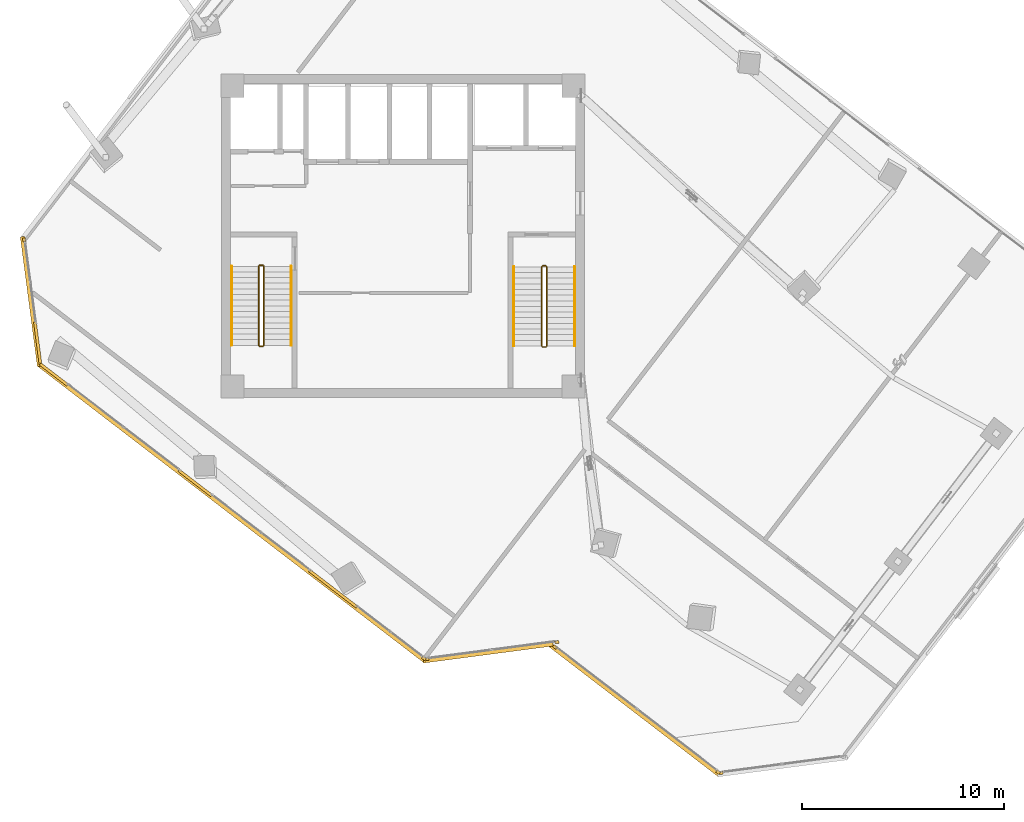
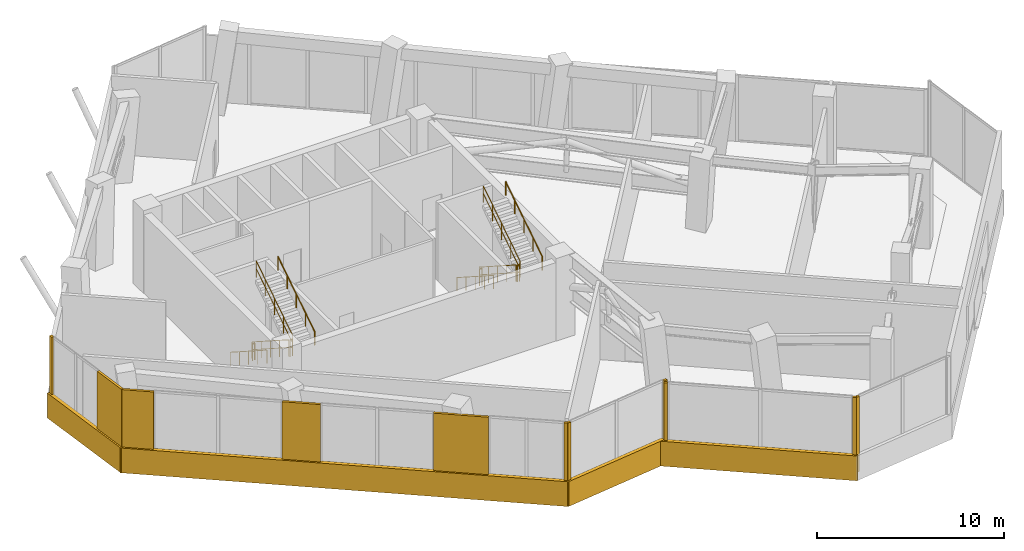
# One storey, part 20 of 22: 15 coverings, 12 railings.
"""IFC4 building model written with IfcOpenShell, lengths in metres."""

from ifc_helpers import new_model, si_unit, direction, frame, origin, origin_2d, place, context, subcontext, project, spatial, rectangle, circle, extrude, source, transform, mapped, material, layer, layer_set, type_object, element, save


model = new_model("IFC4")

# Units and contexts
model_context = context("Model", 3, precision=1e-05, world=origin(), true_north=direction((0.0, 1.0)))
body_context = subcontext(model_context, "Body", "Model", "MODEL_VIEW")
ifc_project = project(units=[si_unit("LENGTHUNIT", "METRE"), si_unit("AREAUNIT", "SQUARE_METRE"), si_unit("VOLUMEUNIT", "CUBIC_METRE"), si_unit("PLANEANGLEUNIT", "RADIAN"), si_unit("MASSUNIT", "GRAM", prefix="KILO")], contexts=[model_context])

# Site, building, storey
site_placement = place(None, origin())
site = spatial("IfcSite", under=ifc_project, at=site_placement, CompositionType="ELEMENT")
building_placement = place(site_placement, origin())
building = spatial("IfcBuilding", under=site, at=building_placement, Name="Torre Montelarca", CompositionType="ELEMENT")
storey_placement = place(building_placement, frame((0.0, 0.0, 209.800048828125)))
storey = spatial("IfcBuildingStorey", under=building, at=storey_placement, Name="L47", CompositionType="ELEMENT", Elevation=209.800048828125)

# Railings
ifc_material_1 = material(Name="Powder-coated steel ASTM A500 Grade C", Category="steel")
railing_type_1 = type_object("IfcRailingType", Name="RL-GUARD-1100", PredefinedType="BALUSTRADE", material=ifc_material_1)
railing_1_placement = place(storey_placement, frame((10.85009765625, 30.5, 0.179931640625)))
element("IfcRailing", 1, at=railing_1_placement, inside=storey, type_object=railing_type_1, Name="L47 ST1 stair guard 1", PredefinedType="BALUSTRADE", context=body_context, shape_type="SweptSolid", body=[
    extrude(circle(Radius=0.02392578125, at=origin_2d()), frame((0.0, 0.0, 1.076171875), z_axis=(0.0, -0.841171666519, 0.540768182723), x_axis=(1.0, 0.0, 0.0)), (0.0, 0.0, 1.0), 4.66015625),
    extrude(circle(Radius=0.02099609375, at=origin_2d()), frame((0.0, 0.0, 0.572021484375), z_axis=(0.0, -0.841171666519, 0.540768182723), x_axis=(1.0, 0.0, 0.0)), (0.0, 0.0, 1.0), 4.66015625),
    extrude(circle(Radius=0.02099609375, at=origin_2d()), origin(), (0.0, 0.0, 1.0), 1.052001953125),
    extrude(circle(Radius=0.02099609375, at=origin_2d()), frame((0.0, -0.97998046875, 0.6298828125)), (0.0, 0.0, 1.0), 1.052001953125),
    extrude(circle(Radius=0.02099609375, at=origin_2d()), frame((0.0, -1.9599609375, 1.260009765625)), (0.0, 0.0, 1.0), 1.052001953125),
    extrude(circle(Radius=0.02099609375, at=origin_2d()), frame((0.0, -2.93994140625, 1.89013671875)), (0.0, 0.0, 1.0), 1.052001953125),
    extrude(circle(Radius=0.02099609375, at=origin_2d()), frame((0.0, -3.919921875, 2.52001953125)), (0.0, 0.0, 1.0), 1.052001953125),
])
railing_2_placement = place(storey_placement, frame((10.89990234375, 26.530029296875, 2.699951171875)))
element("IfcRailing", 2, at=railing_2_placement, inside=storey, type_object=railing_type_1, Name="L47 ST1 stair guard 2", PredefinedType="BALUSTRADE", context=body_context, shape_type="SweptSolid", body=[
    extrude(circle(Radius=0.02392578125, at=origin_2d()), frame((0.0, 0.0, 1.076171875), z_axis=(1.0, 0.0, 0.0), x_axis=(0.0, 1.0, 0.0)), (0.0, 0.0, 1.0), 0.150146484375),
    extrude(circle(Radius=0.02099609375, at=origin_2d()), frame((0.0, 0.0, 0.572021484375), z_axis=(1.0, 0.0, 0.0), x_axis=(0.0, 1.0, 0.0)), (0.0, 0.0, 1.0), 0.150146484375),
    extrude(circle(Radius=0.02099609375, at=origin_2d()), origin(), (0.0, 0.0, 1.0), 1.052001953125),
    extrude(circle(Radius=0.02099609375, at=origin_2d()), frame((0.150146484375, 0.0, 0.0)), (0.0, 0.0, 1.0), 1.052001953125),
])
railing_3_placement = place(storey_placement, frame((11.10009765625, 26.580078125, 2.8798828125)))
element("IfcRailing", 3, at=railing_3_placement, inside=storey, type_object=railing_type_1, Name="L47 ST1 stair guard 3", PredefinedType="BALUSTRADE", context=body_context, shape_type="SweptSolid", body=[
    extrude(circle(Radius=0.02392578125, at=origin_2d()), frame((0.0, 0.0, 1.076171875), z_axis=(0.0, 0.841171666519, 0.540768182723), x_axis=(-1.0, 0.0, 0.0)), (0.0, 0.0, 1.0), 4.66015625),
    extrude(circle(Radius=0.02099609375, at=origin_2d()), frame((0.0, 0.0, 0.572021484375), z_axis=(0.0, 0.841171666519, 0.540768182723), x_axis=(-1.0, 0.0, 0.0)), (0.0, 0.0, 1.0), 4.66015625),
    extrude(circle(Radius=0.02099609375, at=origin_2d()), origin(), (0.0, 0.0, 1.0), 1.052001953125),
    extrude(circle(Radius=0.02099609375, at=origin_2d()), frame((0.0, 0.97998046875, 0.6298828125)), (0.0, 0.0, 1.0), 1.052001953125),
    extrude(circle(Radius=0.02099609375, at=origin_2d()), frame((0.0, 1.9599609375, 1.260009765625)), (0.0, 0.0, 1.0), 1.052001953125),
    extrude(circle(Radius=0.02099609375, at=origin_2d()), frame((0.0, 2.93994140625, 1.89013671875)), (0.0, 0.0, 1.0), 1.052001953125),
    extrude(circle(Radius=0.02099609375, at=origin_2d()), frame((0.0, 3.919921875, 2.52001953125)), (0.0, 0.0, 1.0), 1.052001953125),
])
railing_4_placement = place(storey_placement, frame((10.89990234375, 30.550048828125, 0.0)))
element("IfcRailing", 4, at=railing_4_placement, inside=storey, type_object=railing_type_1, Name="L47 ST1 stair guard 4", PredefinedType="BALUSTRADE", context=body_context, shape_type="SweptSolid", body=[
    extrude(circle(Radius=0.02392578125, at=origin_2d()), frame((0.0, 0.0, 1.076171875), z_axis=(1.0, 0.0, 0.0), x_axis=(0.0, 1.0, 0.0)), (0.0, 0.0, 1.0), 0.150146484375),
    extrude(circle(Radius=0.02099609375, at=origin_2d()), frame((0.0, 0.0, 0.572021484375), z_axis=(1.0, 0.0, 0.0), x_axis=(0.0, 1.0, 0.0)), (0.0, 0.0, 1.0), 0.150146484375),
    extrude(circle(Radius=0.02099609375, at=origin_2d()), origin(), (0.0, 0.0, 1.0), 1.052001953125),
    extrude(circle(Radius=0.02099609375, at=origin_2d()), frame((0.150146484375, 0.0, 0.0)), (0.0, 0.0, 1.0), 1.052001953125),
])
railing_5_placement = place(storey_placement, frame((24.8701171875, 30.469970703125, 0.179931640625)))
element("IfcRailing", 5, at=railing_5_placement, inside=storey, type_object=railing_type_1, Name="L47 ST2 stair guard 1", PredefinedType="BALUSTRADE", context=body_context, shape_type="SweptSolid", body=[
    extrude(circle(Radius=0.02392578125, at=origin_2d()), frame((0.0, 0.0, 1.076171875), z_axis=(0.0, -0.841171666519, 0.540768182723), x_axis=(1.0, 0.0, 0.0)), (0.0, 0.0, 1.0), 4.66015625),
    extrude(circle(Radius=0.02099609375, at=origin_2d()), frame((0.0, 0.0, 0.572021484375), z_axis=(0.0, -0.841171666519, 0.540768182723), x_axis=(1.0, 0.0, 0.0)), (0.0, 0.0, 1.0), 4.66015625),
    extrude(circle(Radius=0.02099609375, at=origin_2d()), origin(), (0.0, 0.0, 1.0), 1.052001953125),
    extrude(circle(Radius=0.02099609375, at=origin_2d()), frame((0.0, -0.97998046875, 0.6298828125)), (0.0, 0.0, 1.0), 1.052001953125),
    extrude(circle(Radius=0.02099609375, at=origin_2d()), frame((0.0, -1.9599609375, 1.260009765625)), (0.0, 0.0, 1.0), 1.052001953125),
    extrude(circle(Radius=0.02099609375, at=origin_2d()), frame((0.0, -2.93994140625, 1.89013671875)), (0.0, 0.0, 1.0), 1.052001953125),
    extrude(circle(Radius=0.02099609375, at=origin_2d()), frame((0.0, -3.919921875, 2.52001953125)), (0.0, 0.0, 1.0), 1.052001953125),
])
railing_6_placement = place(storey_placement, frame((24.919921875, 26.5, 2.699951171875)))
element("IfcRailing", 6, at=railing_6_placement, inside=storey, type_object=railing_type_1, Name="L47 ST2 stair guard 2", PredefinedType="BALUSTRADE", context=body_context, shape_type="SweptSolid", body=[
    extrude(circle(Radius=0.02392578125, at=origin_2d()), frame((0.0, 0.0, 1.076171875), z_axis=(1.0, 0.0, 0.0), x_axis=(0.0, 1.0, 0.0)), (0.0, 0.0, 1.0), 0.150146484375),
    extrude(circle(Radius=0.02099609375, at=origin_2d()), frame((0.0, 0.0, 0.572021484375), z_axis=(1.0, 0.0, 0.0), x_axis=(0.0, 1.0, 0.0)), (0.0, 0.0, 1.0), 0.150146484375),
    extrude(circle(Radius=0.02099609375, at=origin_2d()), origin(), (0.0, 0.0, 1.0), 1.052001953125),
    extrude(circle(Radius=0.02099609375, at=origin_2d()), frame((0.150146484375, 0.0, 0.0)), (0.0, 0.0, 1.0), 1.052001953125),
])
railing_7_placement = place(storey_placement, frame((25.1201171875, 26.550048828125, 2.8798828125)))
element("IfcRailing", 7, at=railing_7_placement, inside=storey, type_object=railing_type_1, Name="L47 ST2 stair guard 3", PredefinedType="BALUSTRADE", context=body_context, shape_type="SweptSolid", body=[
    extrude(circle(Radius=0.02392578125, at=origin_2d()), frame((0.0, 0.0, 1.076171875), z_axis=(0.0, 0.841171666519, 0.540768182723), x_axis=(-1.0, 0.0, 0.0)), (0.0, 0.0, 1.0), 4.66015625),
    extrude(circle(Radius=0.02099609375, at=origin_2d()), frame((0.0, 0.0, 0.572021484375), z_axis=(0.0, 0.841171666519, 0.540768182723), x_axis=(-1.0, 0.0, 0.0)), (0.0, 0.0, 1.0), 4.66015625),
    extrude(circle(Radius=0.02099609375, at=origin_2d()), origin(), (0.0, 0.0, 1.0), 1.052001953125),
    extrude(circle(Radius=0.02099609375, at=origin_2d()), frame((0.0, 0.97998046875, 0.6298828125)), (0.0, 0.0, 1.0), 1.052001953125),
    extrude(circle(Radius=0.02099609375, at=origin_2d()), frame((0.0, 1.9599609375, 1.260009765625)), (0.0, 0.0, 1.0), 1.052001953125),
    extrude(circle(Radius=0.02099609375, at=origin_2d()), frame((0.0, 2.93994140625, 1.89013671875)), (0.0, 0.0, 1.0), 1.052001953125),
    extrude(circle(Radius=0.02099609375, at=origin_2d()), frame((0.0, 3.919921875, 2.52001953125)), (0.0, 0.0, 1.0), 1.052001953125),
])
railing_8_placement = place(storey_placement, frame((24.919921875, 30.52001953125, 0.0)))
element("IfcRailing", 8, at=railing_8_placement, inside=storey, type_object=railing_type_1, Name="L47 ST2 stair guard 4", PredefinedType="BALUSTRADE", context=body_context, shape_type="SweptSolid", body=[
    extrude(circle(Radius=0.02392578125, at=origin_2d()), frame((0.0, 0.0, 1.076171875), z_axis=(1.0, 0.0, 0.0), x_axis=(0.0, 1.0, 0.0)), (0.0, 0.0, 1.0), 0.150146484375),
    extrude(circle(Radius=0.02099609375, at=origin_2d()), frame((0.0, 0.0, 0.572021484375), z_axis=(1.0, 0.0, 0.0), x_axis=(0.0, 1.0, 0.0)), (0.0, 0.0, 1.0), 0.150146484375),
    extrude(circle(Radius=0.02099609375, at=origin_2d()), origin(), (0.0, 0.0, 1.0), 1.052001953125),
    extrude(circle(Radius=0.02099609375, at=origin_2d()), frame((0.150146484375, 0.0, 0.0)), (0.0, 0.0, 1.0), 1.052001953125),
])
ifc_material_2 = material(Name="Brushed stainless steel AISI 316", Category="steel")
railing_type_2 = type_object("IfcRailingType", Name="RL-HANDRAIL-900", PredefinedType="HANDRAIL", material=ifc_material_2)
railing_9_placement = place(storey_placement, frame((9.5, 30.5, 0.179931640625)))
element("IfcRailing", 9, at=railing_9_placement, inside=storey, type_object=railing_type_2, Name="L47 ST1 stair handrail 1", PredefinedType="HANDRAIL", context=body_context, shape_type="SweptSolid", body=[
    extrude(circle(Radius=0.02392578125, at=origin_2d()), frame((0.0, 0.0, 0.8759765625), z_axis=(0.0, -0.841171666519, 0.540768182723), x_axis=(1.0, 0.0, 0.0)), (0.0, 0.0, 1.0), 4.66015625),
    extrude(circle(Radius=0.02099609375, at=origin_2d()), origin(), (0.0, 0.0, 1.0), 0.851806640625),
    extrude(circle(Radius=0.02099609375, at=origin_2d()), frame((0.0, -0.97998046875, 0.6298828125)), (0.0, 0.0, 1.0), 0.851806640625),
    extrude(circle(Radius=0.02099609375, at=origin_2d()), frame((0.0, -1.9599609375, 1.260009765625)), (0.0, 0.0, 1.0), 0.851806640625),
    extrude(circle(Radius=0.02099609375, at=origin_2d()), frame((0.0, -2.93994140625, 1.89013671875)), (0.0, 0.0, 1.0), 0.851806640625),
    extrude(circle(Radius=0.02099609375, at=origin_2d()), frame((0.0, -3.919921875, 2.52001953125)), (0.0, 0.0, 1.0), 0.851806640625),
])
railing_10_placement = place(storey_placement, frame((12.449951171875, 26.580078125, 2.8798828125)))
element("IfcRailing", 10, at=railing_10_placement, inside=storey, type_object=railing_type_2, Name="L47 ST1 stair handrail 2", PredefinedType="HANDRAIL", context=body_context, shape_type="SweptSolid", body=[
    extrude(circle(Radius=0.02392578125, at=origin_2d()), frame((0.0, 0.0, 0.8759765625), z_axis=(0.0, 0.841171666519, 0.540768182723), x_axis=(-1.0, 0.0, 0.0)), (0.0, 0.0, 1.0), 4.66015625),
    extrude(circle(Radius=0.02099609375, at=origin_2d()), origin(), (0.0, 0.0, 1.0), 0.851806640625),
    extrude(circle(Radius=0.02099609375, at=origin_2d()), frame((0.0, 0.97998046875, 0.6298828125)), (0.0, 0.0, 1.0), 0.851806640625),
    extrude(circle(Radius=0.02099609375, at=origin_2d()), frame((0.0, 1.9599609375, 1.260009765625)), (0.0, 0.0, 1.0), 0.851806640625),
    extrude(circle(Radius=0.02099609375, at=origin_2d()), frame((0.0, 2.93994140625, 1.89013671875)), (0.0, 0.0, 1.0), 0.851806640625),
    extrude(circle(Radius=0.02099609375, at=origin_2d()), frame((0.0, 3.919921875, 2.52001953125)), (0.0, 0.0, 1.0), 0.851806640625),
])
railing_11_placement = place(storey_placement, frame((23.489990234375, 30.469970703125, 0.179931640625)))
element("IfcRailing", 11, at=railing_11_placement, inside=storey, type_object=railing_type_2, Name="L47 ST2 stair handrail 1", PredefinedType="HANDRAIL", context=body_context, shape_type="SweptSolid", body=[
    extrude(circle(Radius=0.02392578125, at=origin_2d()), frame((0.0, 0.0, 0.8759765625), z_axis=(0.0, -0.841171666519, 0.540768182723), x_axis=(1.0, 0.0, 0.0)), (0.0, 0.0, 1.0), 4.66015625),
    extrude(circle(Radius=0.02099609375, at=origin_2d()), origin(), (0.0, 0.0, 1.0), 0.851806640625),
    extrude(circle(Radius=0.02099609375, at=origin_2d()), frame((0.0, -0.97998046875, 0.6298828125)), (0.0, 0.0, 1.0), 0.851806640625),
    extrude(circle(Radius=0.02099609375, at=origin_2d()), frame((0.0, -1.9599609375, 1.260009765625)), (0.0, 0.0, 1.0), 0.851806640625),
    extrude(circle(Radius=0.02099609375, at=origin_2d()), frame((0.0, -2.93994140625, 1.89013671875)), (0.0, 0.0, 1.0), 0.851806640625),
    extrude(circle(Radius=0.02099609375, at=origin_2d()), frame((0.0, -3.919921875, 2.52001953125)), (0.0, 0.0, 1.0), 0.851806640625),
])
railing_12_placement = place(storey_placement, frame((26.5, 26.550048828125, 2.8798828125)))
element("IfcRailing", 12, at=railing_12_placement, inside=storey, type_object=railing_type_2, Name="L47 ST2 stair handrail 2", PredefinedType="HANDRAIL", context=body_context, shape_type="SweptSolid", body=[
    extrude(circle(Radius=0.02392578125, at=origin_2d()), frame((0.0, 0.0, 0.8759765625), z_axis=(0.0, 0.841171666519, 0.540768182723), x_axis=(-1.0, 0.0, 0.0)), (0.0, 0.0, 1.0), 4.66015625),
    extrude(circle(Radius=0.02099609375, at=origin_2d()), origin(), (0.0, 0.0, 1.0), 0.851806640625),
    extrude(circle(Radius=0.02099609375, at=origin_2d()), frame((0.0, 0.97998046875, 0.6298828125)), (0.0, 0.0, 1.0), 0.851806640625),
    extrude(circle(Radius=0.02099609375, at=origin_2d()), frame((0.0, 1.9599609375, 1.260009765625)), (0.0, 0.0, 1.0), 0.851806640625),
    extrude(circle(Radius=0.02099609375, at=origin_2d()), frame((0.0, 2.93994140625, 1.89013671875)), (0.0, 0.0, 1.0), 0.851806640625),
    extrude(circle(Radius=0.02099609375, at=origin_2d()), frame((0.0, 3.919921875, 2.52001953125)), (0.0, 0.0, 1.0), 0.851806640625),
])

# Coverings
ifc_material_3 = material(Name="Bush-hammered warm white precast concrete C45/55", Category="concrete")
ifc_layer = layer(ifc_material_3, 0.139892578125, Name="Bush-hammered warm white precast concrete C45/55", Category="concrete")
ifc_layer_set = layer_set([ifc_layer], Name="Bush-hammered warm white precast concrete C45/55")
covering_type = type_object("IfcCoveringType", Name="COV-TRAY-CLAD", PredefinedType="CLADDING", material=ifc_layer_set)
shared_shape_1 = source(origin(), body_context, "Body", "SweptSolid", [
    extrude(rectangle(XDim=24.219970703125, YDim=0.219970703125, at=origin_2d()), origin(), (0.0, 0.0, 1.0), 1.6201171875),
])
covering_1_placement = place(storey_placement, frame((9.526611328125, 18.284912109375, -0.4501953125), z_axis=(0.0, 0.0, 1.0), x_axis=(0.793354402779, -0.608760044345, 0.0)))
element("IfcCovering", 13, at=covering_1_placement, inside=storey, type_object=covering_type, Name="L47 Architectural White Spandrel Tray Band TRYBOT-01", PredefinedType="CLADDING", context=body_context, shape_type="MappedRepresentation", body=[
    mapped(shared_shape_1, transform((0.0, 0.0, 0.0), scale=1.0)),
])
shared_shape_2 = source(origin(), body_context, "Body", "SweptSolid", [
    extrude(rectangle(XDim=6.48388671875, YDim=0.219970703125, at=origin_2d()), origin(), (0.0, 0.0, 1.0), 1.6201171875),
])
for number, where, z_axis, x_axis, name in (
    (14, (22.218994140625, 11.37060546875, -0.4501953125), (0.0, 0.0, 1.0), (0.991446000392, 0.130517540226, 0.0), "L47 Architectural White Spandrel Tray Band TRYBOT-02"),
    (15, (-0.437255859375, 28.75537109375, -0.4501953125), (0.0, 0.0, 1.0), (0.130531383411, -0.991444177927, 0.0), "L47 Architectural White Spandrel Tray Band TRYBOT-11"),
):
    element("IfcCovering", number, at=place(storey_placement, frame(where, z_axis=z_axis, x_axis=x_axis)), inside=storey, type_object=covering_type, Name=name, PredefinedType="CLADDING", context=body_context, shape_type="MappedRepresentation", body=[
        mapped(shared_shape_2, transform((0.0, 0.0, 0.0), scale=1.0)),
    ])
shared_shape_3 = source(origin(), body_context, "Body", "SweptSolid", [
    extrude(rectangle(XDim=0.199951171875, YDim=0.139892578125, at=origin_2d()), origin(), (0.0, 0.0, 1.0), 4.919921875),
])
for number, where, z_axis, x_axis, name in (
    (16, (19.031005859375, 11.0673828125, 0.0), (0.0, 0.0, 1.0), (0.793352277801, -0.608762813671, 0.0), "L47 Architectural Column Pier Cladding E01-4"),
    (17, (19.171142578125, 11.02978515625, 0.0), (0.0, 0.0, 1.0), (0.991446683767, 0.130512349026, 0.0), "L47 Architectural Column Pier Cladding E02-1"),
    (18, (25.61572265625, 11.878173828125, 0.0), (0.0, 0.0, 1.0), (0.991446683767, 0.130512349026, 0.0), "L47 Architectural Column Pier Cladding E02-2"),
    (19, (25.523681640625, 11.63134765625, 0.0), (0.0, 0.0, 1.0), (0.793351215308, -0.608764198331, 0.0), "L47 Architectural Column Pier Cladding E04-1"),
    (20, (33.60986328125, 5.4267578125, 0.0), (0.0, 0.0, 1.0), (0.793351215308, -0.608764198331, 0.0), "L47 Architectural Column Pier Cladding E04-2"),
    (21, (33.75, 5.38916015625, 0.0), (0.0, 0.0, 1.0), (0.991444405745, 0.130529653015, 0.0), "L47 Architectural Column Pier Cladding E05-1"),
    (22, (-0.778076171875, 31.802978515625, 0.0), (0.0, 0.0, 1.0), (0.130531383411, -0.991444177927, 0.0), "L47 Architectural Column Pier Cladding E11-1"),
):
    element("IfcCovering", number, at=place(storey_placement, frame(where, z_axis=z_axis, x_axis=x_axis)), inside=storey, type_object=covering_type, Name=name, PredefinedType="CLADDING", context=body_context, shape_type="MappedRepresentation", body=[
        mapped(shared_shape_3, transform((0.0, 0.0, 0.0), scale=1.0)),
    ])
shared_shape_4 = source(origin(), body_context, "Body", "SweptSolid", [
    extrude(rectangle(XDim=10.6201171875, YDim=0.219970703125, at=origin_2d()), origin(), (0.0, 0.0, 1.0), 1.6201171875),
])
covering_2_placement = place(storey_placement, frame((29.5, 8.504638671875, -0.4501953125), z_axis=(0.0, 0.0, 1.0), x_axis=(0.793352277801, -0.608762813671, 0.0)))
element("IfcCovering", 23, at=covering_2_placement, inside=storey, type_object=covering_type, Name="L47 Architectural White Spandrel Tray Band TRYBOT-04", PredefinedType="CLADDING", context=body_context, shape_type="MappedRepresentation", body=[
    mapped(shared_shape_4, transform((0.0, 0.0, 0.0), scale=1.0)),
])
shared_shape_5 = source(origin(), body_context, "Body", "SweptSolid", [
    extrude(rectangle(XDim=1.714111328125, YDim=0.139892578125, at=origin_2d()), origin(), (0.0, 0.0, 1.0), 4.919921875),
])
covering_3_placement = place(storey_placement, frame((0.69580078125, 25.13671875, 0.0), z_axis=(0.0, 0.0, 1.0), x_axis=(0.793352277801, -0.608762813671, 0.0)))
element("IfcCovering", 24, at=covering_3_placement, inside=storey, type_object=covering_type, Name="L47 Architectural Column Pier Cladding E01-1", PredefinedType="CLADDING", context=body_context, shape_type="MappedRepresentation", body=[
    mapped(shared_shape_5, transform((0.0, 0.0, 0.0), scale=1.0)),
])
shared_shape_6 = source(origin(), body_context, "Body", "SweptSolid", [
    extrude(rectangle(XDim=2.06005859375, YDim=0.139892578125, at=origin_2d()), origin(), (0.0, 0.0, 1.0), 4.919921875),
])
covering_4_placement = place(storey_placement, frame((7.698486328125, 19.76318359375, 0.0), z_axis=(0.0, 0.0, 1.0), x_axis=(0.793352277801, -0.608762813671, 0.0)))
element("IfcCovering", 25, at=covering_4_placement, inside=storey, type_object=covering_type, Name="L47 Architectural Column Pier Cladding E01-2", PredefinedType="CLADDING", context=body_context, shape_type="MappedRepresentation", body=[
    mapped(shared_shape_6, transform((0.0, 0.0, 0.0), scale=1.0)),
])
shared_shape_7 = source(origin(), body_context, "Body", "SweptSolid", [
    extrude(rectangle(XDim=2.965576171875, YDim=0.139892578125, at=origin_2d()), origin(), (0.0, 0.0, 1.0), 4.919921875),
])
covering_5_placement = place(storey_placement, frame((14.5390625, 14.51416015625, 0.0), z_axis=(0.0, 0.0, 1.0), x_axis=(0.793352277801, -0.608762813671, 0.0)))
element("IfcCovering", 26, at=covering_5_placement, inside=storey, type_object=covering_type, Name="L47 Architectural Column Pier Cladding E01-3", PredefinedType="CLADDING", context=body_context, shape_type="MappedRepresentation", body=[
    mapped(shared_shape_7, transform((0.0, 0.0, 0.0), scale=1.0)),
])
shared_shape_8 = source(origin(), body_context, "Body", "SweptSolid", [
    extrude(rectangle(XDim=2.1455078125, YDim=0.139892578125, at=origin_2d()), origin(), (0.0, 0.0, 1.0), 4.919921875),
])
covering_6_placement = place(storey_placement, frame((-0.1044921875, 26.687744140625, 0.0), z_axis=(0.0, 0.0, 1.0), x_axis=(0.130531383411, -0.991444177927, 0.0)))
element("IfcCovering", 27, at=covering_6_placement, inside=storey, type_object=covering_type, Name="L47 Architectural Column Pier Cladding E11-2", PredefinedType="CLADDING", context=body_context, shape_type="MappedRepresentation", body=[
    mapped(shared_shape_8, transform((0.0, 0.0, 0.0), scale=1.0)),
])

save(model, "model.ifc")
